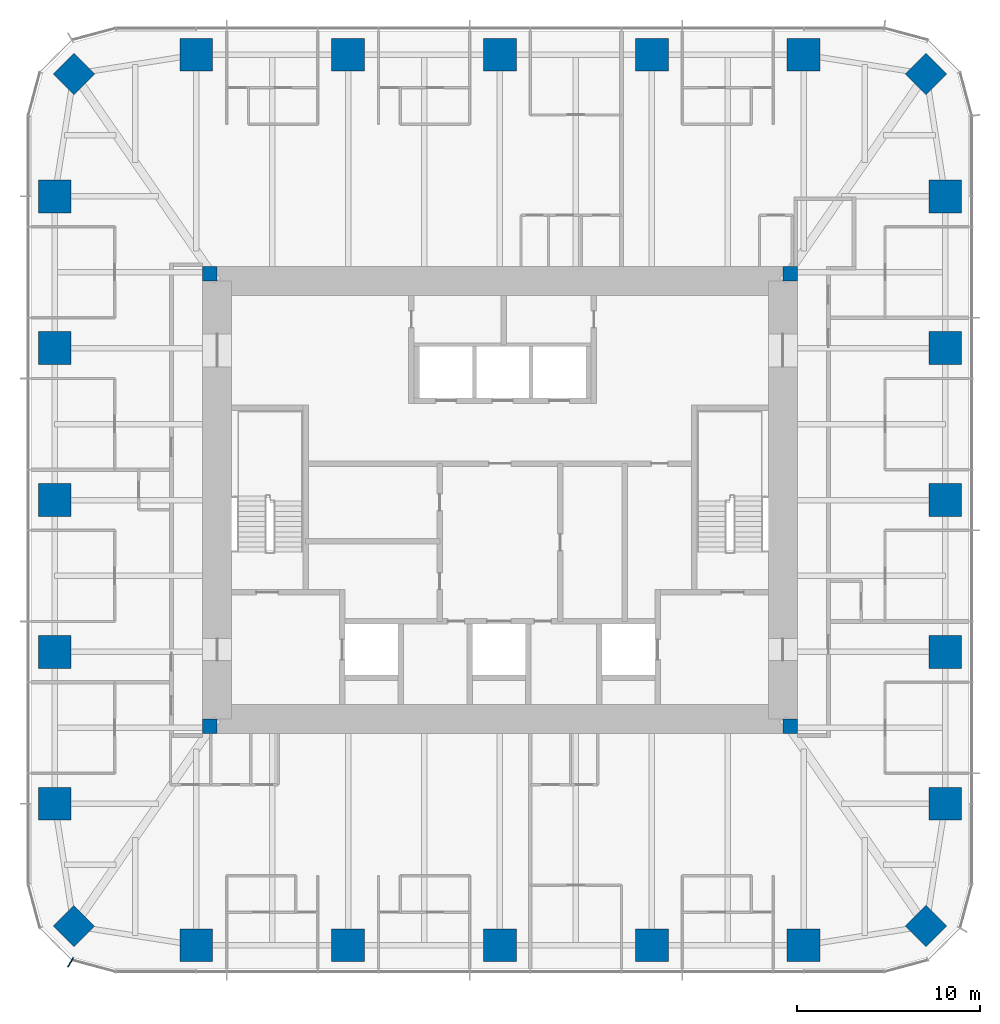
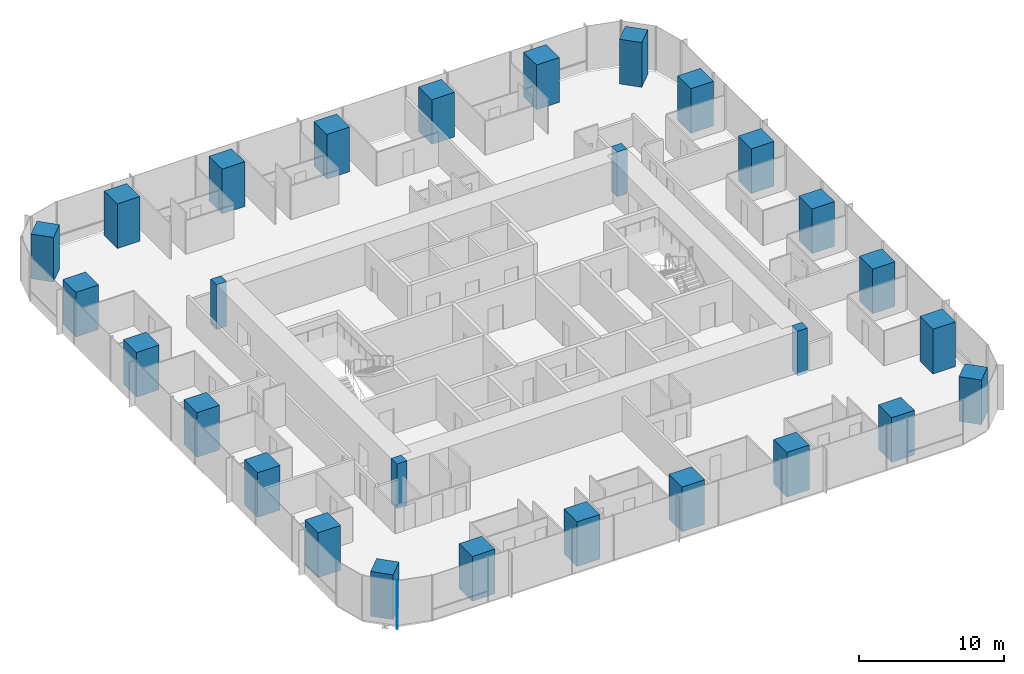
# One storey, part 1 of 13: 28 columns, 1 member, 1 element without a shape of its own.
"""IFC4 building model written with IfcOpenShell, lengths in metres."""

import ifcopenshell
import ifcopenshell.guid

model = None  # the IFC model being written
_history = None  # IfcOwnerHistory: only IFC2X3 demands one
_inside = {}  # id of a spatial element -> (the spatial element, [elements in it])
_under = {}  # id of a project, library or spatial element -> (it, [spatial elements below it])
_declared = {}  # id of a project -> (the project, [libraries it declares])
_typed = {}  # id of a type object -> (the type object, [elements of that type])
_made_of = {}  # id of a material, layer set ... -> (it, [elements and type objects made of it])


def new_model(schema):
    """Start an empty IFC model of exactly this schema.

    Asked for "IFC4X3", IfcOpenShell would pick the latest addendum, in which some entities
    have other attributes; the version numbers below select the first issue.
    IFC2X3 requires an IfcOwnerHistory on every rooted entity: one is made here for all.
    """
    global model, _history
    if schema == "IFC4X3":
        model = ifcopenshell.file(schema_version=(4, 3, 0, 0))
    else:
        model = ifcopenshell.file(schema=schema)
    _inside.clear()
    _under.clear()
    _declared.clear()
    _typed.clear()
    _made_of.clear()
    _history = None
    if model.schema == "IFC2X3":
        org = make("IfcOrganization", Name="unknown")
        user = make(
            "IfcPersonAndOrganization",
            ThePerson=make("IfcPerson", FamilyName="unknown"),
            TheOrganization=org,
        )
        app = make(
            "IfcApplication",
            ApplicationDeveloper=org,
            Version="unknown",
            ApplicationFullName="unknown",
            ApplicationIdentifier="unknown",
        )
        _history = make(
            "IfcOwnerHistory",
            OwningUser=user,
            OwningApplication=app,
            ChangeAction="ADDED",
            CreationDate=0,
        )
    return model


def make(cls, **values):
    """One entity of the class cls with the attributes given. An attribute that is None is left unset."""
    return model.create_entity(
        cls, **{name: value for name, value in values.items() if value is not None}
    )


def rooted(cls, **values):
    """An entity with a GlobalId (a new one), such as an element, a storey or a relation."""
    return make(cls, GlobalId=ifcopenshell.guid.new(), OwnerHistory=_history, **values)


def si_unit(unit_type, name, prefix=None):
    """IfcSIUnit, for example si_unit("LENGTHUNIT", "METRE", prefix="MILLI")."""
    return make("IfcSIUnit", UnitType=unit_type, Prefix=prefix, Name=name)


def assignment(units):
    """IfcUnitAssignment: the units of a project."""
    return None if units is None else make("IfcUnitAssignment", Units=units)


def point(xyz):
    """IfcCartesianPoint."""
    return None if xyz is None else make("IfcCartesianPoint", Coordinates=xyz)


def direction(xyz):
    """IfcDirection."""
    return None if xyz is None else make("IfcDirection", DirectionRatios=xyz)


def frame(location, z_axis=None, x_axis=None):
    """IfcAxis2Placement3D, a coordinate frame: its origin and axes. An axis left out is left unset."""
    return make(
        "IfcAxis2Placement3D",
        Location=point(location),
        Axis=direction(z_axis),
        RefDirection=direction(x_axis),
    )


def frame_2d(location, x_axis=None):
    """IfcAxis2Placement2D, a coordinate frame in the plane: its origin and x axis."""
    return make(
        "IfcAxis2Placement2D", Location=point(location), RefDirection=direction(x_axis)
    )


def origin():
    """The frame at (0, 0, 0) with its axes left unset."""
    return frame((0.0, 0.0, 0.0))


def origin_2d():
    """The frame at (0, 0) in the plane with its x axis left unset."""
    return frame_2d((0.0, 0.0))


def place(relative_to, where):
    """IfcLocalPlacement: puts the frame where relative to a parent placement (None: the world)."""
    return make(
        "IfcLocalPlacement", PlacementRelTo=relative_to, RelativePlacement=where
    )


def context(
    kind, dimensions, precision=None, world=None, true_north=None, identifier=None
):
    """IfcGeometricRepresentationContext, for example the 3D "Model" context."""
    return make(
        "IfcGeometricRepresentationContext",
        ContextIdentifier=identifier,
        ContextType=kind,
        CoordinateSpaceDimension=dimensions,
        Precision=precision,
        WorldCoordinateSystem=world,
        TrueNorth=true_north,
    )


def subcontext(parent, identifier, kind, view, scale=None):
    """IfcGeometricRepresentationSubContext, for example "Body" below "Model"."""
    return make(
        "IfcGeometricRepresentationSubContext",
        ContextIdentifier=identifier,
        ContextType=kind,
        ParentContext=parent,
        TargetScale=scale,
        TargetView=view,
    )


def project(units=None, contexts=None):
    """IfcProject with its units and contexts."""
    return rooted(
        "IfcProject",
        Name="project",
        RepresentationContexts=contexts,
        UnitsInContext=assignment(units),
    )


def spatial(cls, under=None, at=None, **own):
    """A site, building, storey or space (cls), placed at a placement, below another one or the project."""
    s = rooted(cls, ObjectPlacement=at, **own)
    if under is not None:
        _under.setdefault(under.id(), (under, []))[1].append(s)
    return s


def profile(cls, at=None, kind="AREA", **sizes):
    """A parametric profile (cls). Its sizes go by their IFC names, for example OverallWidth=200.0."""
    return make(cls, ProfileType=kind, Position=at, **sizes)


def rectangle(**sizes):
    """IfcRectangleProfileDef."""
    return profile("IfcRectangleProfileDef", **sizes)


def extrude(swept, where, along, depth):
    """IfcExtrudedAreaSolid: the profile swept, set in the frame where, extruded along a direction by depth."""
    return make(
        "IfcExtrudedAreaSolid",
        SweptArea=swept,
        Position=where,
        ExtrudedDirection=direction(along),
        Depth=depth,
    )


def shape(context_of_items, identifier, shape_type, items):
    """IfcShapeRepresentation: the items that make up one representation, for example the "Body"."""
    return make(
        "IfcShapeRepresentation",
        ContextOfItems=context_of_items,
        RepresentationIdentifier=identifier,
        RepresentationType=shape_type,
        Items=items,
    )


def material(Name=None, Category=None):
    """IfcMaterial."""
    return make("IfcMaterial", Name=Name, Category=Category)


def material_profile(
    of_material, cross_section, Name=None, Category=None, Priority=None
):
    """IfcMaterialProfile: a cross section and its material."""
    return make(
        "IfcMaterialProfile",
        Name=Name,
        Material=of_material,
        Profile=cross_section,
        Priority=Priority,
        Category=Category,
    )


def profile_set(profiles, Name=None, composite=None):
    """IfcMaterialProfileSet."""
    return make(
        "IfcMaterialProfileSet",
        Name=Name,
        MaterialProfiles=profiles,
        CompositeProfile=composite,
    )


def made_of(thing, what):
    """Note that an element or type object is made of a material, layer set ...; save() writes the relation."""
    if what is not None:
        _made_of.setdefault(what.id(), (what, []))[1].append(thing)
    return thing


def type_object(cls, material=None, **own):
    """A type object (cls), such as IfcWallType, which elements share."""
    return made_of(rooted(cls, **own), material)


def element(
    cls,
    number,
    at=None,
    inside=None,
    cuts=None,
    type_object=None,
    material=None,
    context=None,
    identifier="Body",
    shape_type=None,
    held_by="IfcProductDefinitionShape",
    body=None,
    shapes=None,
    **own,
):
    """One element of the class cls, such as IfcWall. Its Tag is "e" and its number.

    at: its placement. inside: the storey or other place that contains it. cuts: it is an
    opening in that element (IfcRelVoidsElement). A single representation is given by context,
    identifier, shape_type and body (its items); several are given by shapes. held_by: the class
    of the entity that holds the representations. save() writes the other relations.
    """
    e = rooted(cls, Tag="e%d" % number, ObjectPlacement=at, **own)
    if body is not None:
        shapes = [shape(context, identifier, shape_type, body)]
    if shapes is not None:
        e.Representation = make(held_by, Representations=shapes)
    if inside is not None:
        _inside.setdefault(inside.id(), (inside, []))[1].append(e)
    if cuts is not None:
        rooted(
            "IfcRelVoidsElement", RelatingBuildingElement=cuts, RelatedOpeningElement=e
        )
    if type_object is not None:
        _typed.setdefault(type_object.id(), (type_object, []))[1].append(e)
    return made_of(e, material)


def aggregate(whole, parts):
    """IfcRelAggregates: a whole, such as a stair, and the parts it consists of."""
    return rooted("IfcRelAggregates", RelatingObject=whole, RelatedObjects=parts)


def save(model, path):
    """Write the relations noted so far, then the file.

    IfcRelAggregates (storeys below a building ...), IfcRelContainedInSpatialStructure (elements
    in a storey), IfcRelDefinesByType, IfcRelAssociatesMaterial and IfcRelDeclares: one each for
    every whole, place, type object, material and project.
    """
    for whole, parts in _under.values():
        aggregate(whole, parts)
    for where, things in _inside.values():
        rooted(
            "IfcRelContainedInSpatialStructure",
            RelatedElements=things,
            RelatingStructure=where,
        )
    for kind, things in _typed.values():
        rooted("IfcRelDefinesByType", RelatedObjects=things, RelatingType=kind)
    for what, things in _made_of.values():
        rooted("IfcRelAssociatesMaterial", RelatedObjects=things, RelatingMaterial=what)
    for by, libraries in _declared.values():
        rooted("IfcRelDeclares", RelatingContext=by, RelatedDefinitions=libraries)
    model.write(path)


model = new_model("IFC4")

# Units and contexts
model_context = context("Model", 3, precision=1e-05, world=origin(), true_north=direction((0.0, 1.0)))
body_context = subcontext(model_context, "Body", "Model", "MODEL_VIEW")
ifc_project = project(units=[si_unit("LENGTHUNIT", "METRE"), si_unit("AREAUNIT", "SQUARE_METRE"), si_unit("VOLUMEUNIT", "CUBIC_METRE"), si_unit("PLANEANGLEUNIT", "RADIAN"), si_unit("MASSUNIT", "GRAM", prefix="KILO")], contexts=[model_context])

# Site, building, storey
site_placement = place(None, origin())
site = spatial("IfcSite", under=ifc_project, at=site_placement, CompositionType="ELEMENT")
building_placement = place(site_placement, origin())
building = spatial("IfcBuilding", under=site, at=building_placement, Name="Khuree Lantern Residences", CompositionType="ELEMENT")
storey_placement = place(building_placement, frame((0.0, 0.0, 255.75)))
storey = spatial("IfcBuildingStorey", under=building, at=storey_placement, Name="L64", CompositionType="ELEMENT", Elevation=255.75)

# Columns
ifc_material_1 = material(Name="Concrete C70/85", Category="concrete")
ifc_material_profile_1 = material_profile(ifc_material_1, rectangle(XDim=1.60009765625, YDim=1.60009765625, at=origin_2d()), Name="RC 1600X1600")
ifc_profile_set_1 = profile_set([ifc_material_profile_1], Name="Concrete C70/85")
column_type_1 = type_object("IfcColumnType", Name="CC1600A PERIMETER CORNER COLUMN RC 1600X1600", PredefinedType="COLUMN", material=ifc_profile_set_1)
for number, where, z_axis, x_axis, name in (
    (1, (23.345703125, 23.345703125, 0.0), (0.0, 0.0, 1.0), (0.707106781187, -0.707106781187, 0.0), "Perimeter column NE"),
    (2, (23.345703125, -23.345703125, 0.0), (0.0, 0.0, 1.0), (0.707106781187, 0.707106781187, 0.0), "Perimeter column SE"),
    (3, (-23.345703125, -23.345703125, 0.0), (0.0, 0.0, 1.0), (0.707106781187, -0.707106781187, 0.0), "Perimeter column SW"),
    (4, (-23.345703125, 23.345703125, 0.0), (0.0, 0.0, 1.0), (0.707106781187, 0.707106781187, 0.0), "Perimeter column NW"),
):
    element("IfcColumn", number, at=place(storey_placement, frame(where, z_axis=z_axis, x_axis=x_axis)), inside=storey, type_object=column_type_1, Name=name, PredefinedType="COLUMN", context=body_context, shape_type="SweptSolid", body=[
        extrude(rectangle(XDim=1.60009765625, YDim=1.60009765625, at=origin_2d()), origin(), (0.0, 0.0, 1.0), 3.75),
    ])
ifc_material_2 = material(Name="Concrete C50/60", Category="concrete")
ifc_material_profile_2 = material_profile(ifc_material_2, rectangle(XDim=0.800048828125, YDim=0.800048828125, at=origin_2d()), Name="RC 800X800")
ifc_profile_set_2 = profile_set([ifc_material_profile_2], Name="Concrete C50/60")
column_type_2 = type_object("IfcColumnType", Name="CP800-C50 CORE CORNER PIER C50 RC 800X800", PredefinedType="COLUMN", material=ifc_profile_set_2)
for number, where, z_axis, x_axis, name in (
    (5, (15.89990234375, 12.39990234375, -0.25), (0.0, 0.0, 1.0), (1.0, 0.0, 0.0), "Core corner pier NE"),
    (6, (-15.89990234375, 12.39990234375, -0.25), (0.0, 0.0, 1.0), (1.0, 0.0, 0.0), "Core corner pier NW"),
    (7, (-15.89990234375, -12.39990234375, -0.25), (0.0, 0.0, 1.0), (1.0, 0.0, 0.0), "Core corner pier SW"),
    (8, (15.89990234375, -12.39990234375, -0.25), (0.0, 0.0, 1.0), (1.0, 0.0, 0.0), "Core corner pier SE"),
):
    element("IfcColumn", number, at=place(storey_placement, frame(where, z_axis=z_axis, x_axis=x_axis)), inside=storey, type_object=column_type_2, Name=name, PredefinedType="COLUMN", context=body_context, shape_type="SweptSolid", body=[
        extrude(rectangle(XDim=0.800048828125, YDim=0.800048828125, at=origin_2d()), origin(), (0.0, 0.0, 1.0), 3.75),
    ])
ifc_material_profile_3 = material_profile(ifc_material_1, rectangle(XDim=1.800048828125, YDim=1.800048828125, at=origin_2d()), Name="RC 1800X1800")
ifc_profile_set_3 = profile_set([ifc_material_profile_3], Name="Concrete C70/85")
column_type_3 = type_object("IfcColumnType", Name="PC4 PERIMETER COLUMN RC 1800X1800", PredefinedType="COLUMN", material=ifc_profile_set_3)
for number, where, z_axis, x_axis, name in (
    (9, (-16.639892578125, 24.39990234375, 0.0), (0.0, 0.0, 1.0), (1.0, 0.0, 0.0), "Perimeter column N1"),
    (10, (-8.320068359375, 24.39990234375, 0.0), (0.0, 0.0, 1.0), (1.0, 0.0, 0.0), "Perimeter column N2"),
    (11, (0.0, 24.39990234375, 0.0), (0.0, 0.0, 1.0), (1.0, 0.0, 0.0), "Perimeter column N3"),
    (12, (8.320068359375, 24.39990234375, 0.0), (0.0, 0.0, 1.0), (1.0, 0.0, 0.0), "Perimeter column N4"),
    (13, (16.639892578125, 24.39990234375, 0.0), (0.0, 0.0, 1.0), (1.0, 0.0, 0.0), "Perimeter column N5"),
    (14, (24.39990234375, 16.639892578125, 0.0), (0.0, 0.0, 1.0), (0.0, 1.0, 0.0), "Perimeter column E1"),
    (15, (24.39990234375, 8.320068359375, 0.0), (0.0, 0.0, 1.0), (0.0, 1.0, 0.0), "Perimeter column E2"),
    (16, (24.39990234375, 0.0, 0.0), (0.0, 0.0, 1.0), (0.0, 1.0, 0.0), "Perimeter column E3"),
    (17, (24.39990234375, -8.320068359375, 0.0), (0.0, 0.0, 1.0), (0.0, 1.0, 0.0), "Perimeter column E4"),
    (18, (24.39990234375, -16.639892578125, 0.0), (0.0, 0.0, 1.0), (0.0, 1.0, 0.0), "Perimeter column E5"),
    (19, (16.639892578125, -24.39990234375, 0.0), (0.0, 0.0, 1.0), (1.0, 0.0, 0.0), "Perimeter column S1"),
    (20, (8.320068359375, -24.39990234375, 0.0), (0.0, 0.0, 1.0), (1.0, 0.0, 0.0), "Perimeter column S2"),
    (21, (0.0, -24.39990234375, 0.0), (0.0, 0.0, 1.0), (1.0, 0.0, 0.0), "Perimeter column S3"),
    (22, (-8.320068359375, -24.39990234375, 0.0), (0.0, 0.0, 1.0), (1.0, 0.0, 0.0), "Perimeter column S4"),
    (23, (-16.639892578125, -24.39990234375, 0.0), (0.0, 0.0, 1.0), (1.0, 0.0, 0.0), "Perimeter column S5"),
    (24, (-24.39990234375, -16.639892578125, 0.0), (0.0, 0.0, 1.0), (0.0, 1.0, 0.0), "Perimeter column W1"),
    (25, (-24.39990234375, -8.320068359375, 0.0), (0.0, 0.0, 1.0), (0.0, 1.0, 0.0), "Perimeter column W2"),
    (26, (-24.39990234375, 0.0, 0.0), (0.0, 0.0, 1.0), (0.0, 1.0, 0.0), "Perimeter column W3"),
    (27, (-24.39990234375, 8.320068359375, 0.0), (0.0, 0.0, 1.0), (0.0, 1.0, 0.0), "Perimeter column W4"),
    (28, (-24.39990234375, 16.639892578125, 0.0), (0.0, 0.0, 1.0), (0.0, 1.0, 0.0), "Perimeter column W5"),
):
    element("IfcColumn", number, at=place(storey_placement, frame(where, z_axis=z_axis, x_axis=x_axis)), inside=storey, type_object=column_type_3, Name=name, PredefinedType="COLUMN", context=body_context, shape_type="SweptSolid", body=[
        extrude(rectangle(XDim=1.800048828125, YDim=1.800048828125, at=origin_2d()), origin(), (0.0, 0.0, 1.0), 3.75),
    ])

# Curtain wall, member
ifc_material_3 = material(Name="Bronze anodised aluminium", Category="aluminium")
curtain_wall_type = type_object("IfcCurtainWallType", Name="CW-T2 TOWER CORNER CURTAIN WALL", PredefinedType="USERDEFINED", material=ifc_material_3)
curtain_wall_placement = place(storey_placement, origin())
curtain_wall = element("IfcCurtainWall", 29, at=curtain_wall_placement, inside=storey, type_object=curtain_wall_type, Name="L64 SOUTH-WEST CORNER CURTAIN WALL", ObjectType="Faceted corner curtain wall", PredefinedType="USERDEFINED")
ifc_material_profile_4 = material_profile(ifc_material_3, rectangle(XDim=0.06494140625, YDim=0.60009765625, at=origin_2d()), Name="F1 65X600")
ifc_profile_set_4 = profile_set([ifc_material_profile_4], Name="Bronze anodised aluminium")
member_type = type_object("IfcMemberType", Name="F1 BRONZE FIN MULLION TOWER 65X600", PredefinedType="MULLION", material=ifc_profile_set_4)
member_placement = place(storey_placement, frame((-23.52490234375, -25.3369140625, 0.0), z_axis=(0.0, 0.0, 1.0), x_axis=(0.866025409797, -0.499999989586, 0.0)))
member = element("IfcMember", 30, at=member_placement, type_object=member_type, Name="L64 SOUTH-WEST CORNER FIN MULLION 45", PredefinedType="MULLION", context=body_context, shape_type="SweptSolid", body=[
    extrude(rectangle(XDim=0.06494140625, YDim=0.60009765625, at=origin_2d()), origin(), (0.0, 0.0, 1.0), 3.75),
])
aggregate(curtain_wall, [member])

save(model, "model.ifc")
